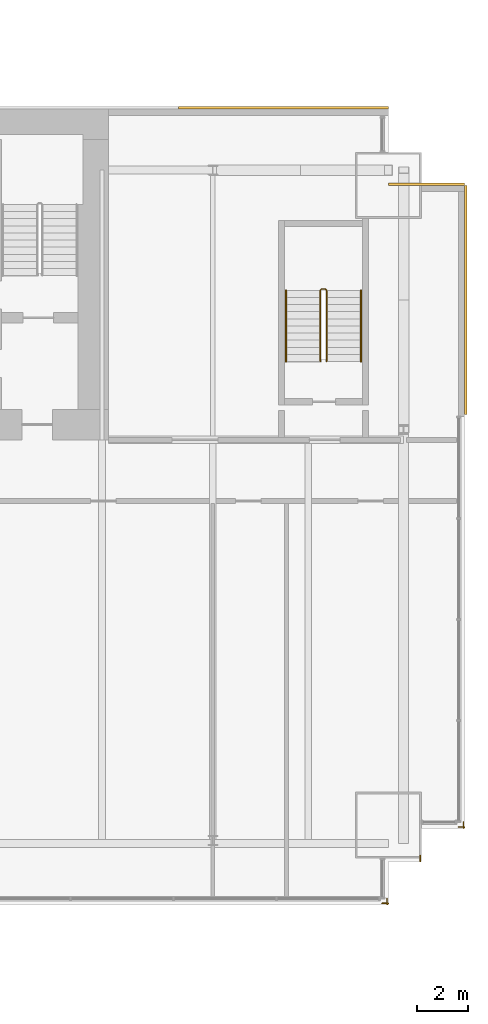
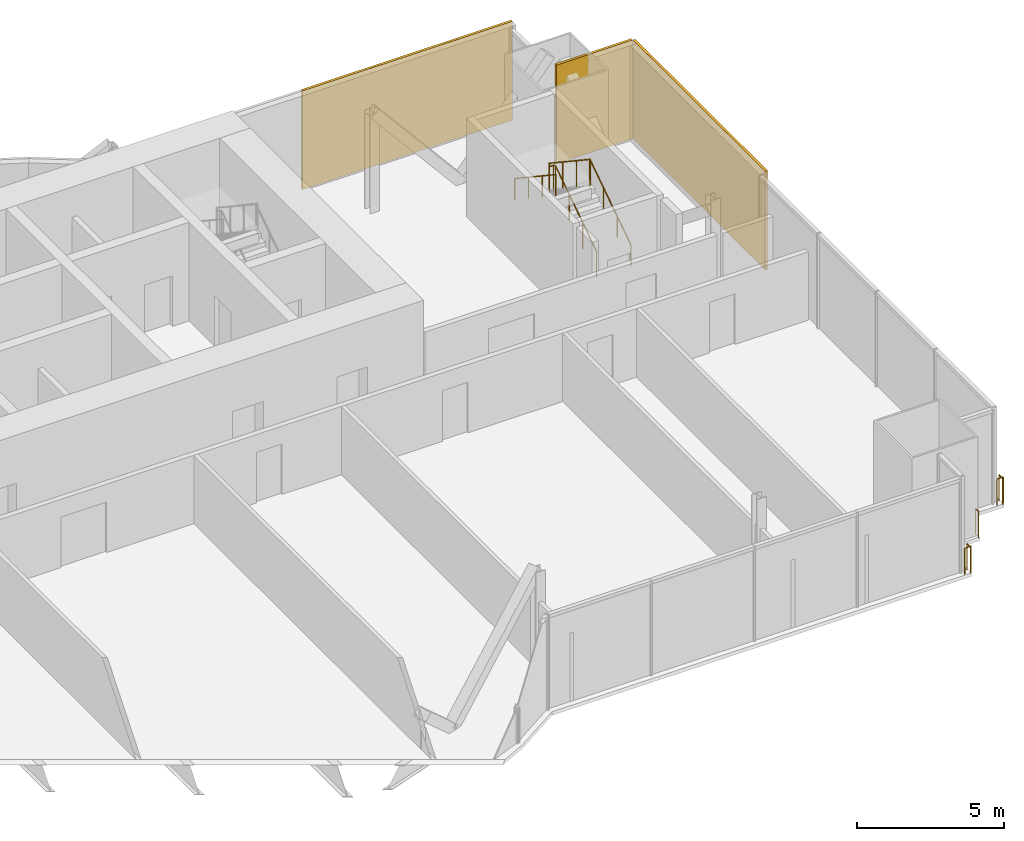
# One storey, part 20 of 20: 6 railings, 3 coverings.
"""IFC4 building model written with IfcOpenShell, lengths in metres."""

from ifc_helpers import new_model, si_unit, direction, frame, origin, origin_2d, place, context, subcontext, project, spatial, rectangle, circle, extrude, material, layer, layer_set, type_object, element, save


model = new_model("IFC4")

# Units and contexts
model_context = context("Model", 3, precision=1e-05, world=origin(), true_north=direction((0.0, 1.0)))
body_context = subcontext(model_context, "Body", "Model", "MODEL_VIEW")
ifc_project = project(units=[si_unit("LENGTHUNIT", "METRE"), si_unit("AREAUNIT", "SQUARE_METRE"), si_unit("VOLUMEUNIT", "CUBIC_METRE"), si_unit("PLANEANGLEUNIT", "RADIAN"), si_unit("MASSUNIT", "GRAM", prefix="KILO")], contexts=[model_context])

# Site, building, storey
site_placement = place(None, origin())
site = spatial("IfcSite", under=ifc_project, at=site_placement, CompositionType="ELEMENT")
building_placement = place(site_placement, origin())
building = spatial("IfcBuilding", under=site, at=building_placement, Name="Bicima Exchange Tower", CompositionType="ELEMENT")
storey_placement = place(building_placement, frame((0.0, 0.0, 223.699951171875)))
storey = spatial("IfcBuildingStorey", under=building, at=storey_placement, Name="L50", CompositionType="ELEMENT", Elevation=223.699951171875)

# Coverings
ifc_material_1 = material(Name="Bronze metal cladding")
ifc_layer_1 = layer(ifc_material_1, 0.004)
ifc_material_2 = material(Name="Ventilated cavity")
ifc_layer_2 = layer(ifc_material_2, 0.06)
ifc_material_3 = material(Name="Galvanised steel rail and mineral wool", Category="steel")
ifc_layer_3 = layer(ifc_material_3, 0.036)
ifc_layer_set = layer_set([ifc_layer_1, ifc_layer_2, ifc_layer_3], Name="Ventilated cavity")
covering_type = type_object("IfcCoveringType", Name="Bronze metal cladding panel 100", PredefinedType="CLADDING", material=ifc_layer_set)
covering_1_placement = place(storey_placement, frame((28.875, 0.050048828125, -0.14990234375), z_axis=(0.0, 0.0, 1.0), x_axis=(-1.0, 0.0, 0.0)))
element("IfcCovering", 1, at=covering_1_placement, inside=storey, type_object=covering_type, Name="Bronze cladding L50 1.1", PredefinedType="CLADDING", context=body_context, shape_type="SweptSolid", body=[
    extrude(rectangle(XDim=8.25, YDim=0.10009765625, at=origin_2d()), origin(), (0.0, 0.0, 1.0), 4.10009765625),
])
covering_2_placement = place(storey_placement, frame((36.050048828125, -7.5, -0.14990234375), z_axis=(0.0, 0.0, 1.0), x_axis=(0.0, 1.0, 0.0)))
element("IfcCovering", 2, at=covering_2_placement, inside=storey, type_object=covering_type, Name="Bronze cladding L50 50.1", PredefinedType="CLADDING", context=body_context, shape_type="SweptSolid", body=[
    extrude(rectangle(XDim=9.0, YDim=0.10009765625, at=origin_2d()), origin(), (0.0, 0.0, 1.0), 4.10009765625),
])
covering_3_placement = place(storey_placement, frame((34.5, -2.949951171875, -0.14990234375), z_axis=(0.0, 0.0, 1.0), x_axis=(-1.0, 0.0, 0.0)))
element("IfcCovering", 3, at=covering_3_placement, inside=storey, type_object=covering_type, Name="Bronze cladding L50 51.1", PredefinedType="CLADDING", context=body_context, shape_type="SweptSolid", body=[
    extrude(rectangle(XDim=3.0, YDim=0.10009765625, at=origin_2d()), origin(), (0.0, 0.0, 1.0), 4.10009765625),
])

# Railings
ifc_material_4 = material(Name="Stainless steel and bonded safety glass", Category="steel")
railing_type_1 = type_object("IfcRailingType", Name="Edge guard 1100", PredefinedType="GUARDRAIL", material=ifc_material_4)
railing_1_placement = place(storey_placement, frame((35.949951171875, -28.01611328125, 0.0)))
element("IfcRailing", 4, at=railing_1_placement, inside=storey, type_object=railing_type_1, Name="Edge guard L50 256", PredefinedType="GUARDRAIL", context=body_context, shape_type="SweptSolid", body=[
    extrude(circle(Radius=0.02392578125, at=origin_2d()), frame((0.0, 0.0, 1.076171875), z_axis=(0.0, -1.0, 0.0), x_axis=(1.0, 0.0, 0.0)), (0.0, 0.0, 1.0), 0.247802734375),
    extrude(circle(Radius=0.02392578125, at=origin_2d()), frame((0.0, -0.247802734375, 1.076171875), z_axis=(0.708833529934, 0.705375805398, 0.0), x_axis=(-0.705375805398, 0.708833529934, 0.0)), (0.0, 0.0, 1.0), 0.070556640625),
    extrude(circle(Radius=0.02392578125, at=origin_2d()), frame((0.050048828125, -0.197998046875, 1.076171875), z_axis=(-1.0, 0.0, 0.0), x_axis=(0.0, -1.0, 0.0)), (0.0, 0.0, 1.0), 0.242919921875),
    extrude(circle(Radius=0.02099609375, at=origin_2d()), origin(), (0.0, 0.0, 1.0), 1.052001953125),
    extrude(circle(Radius=0.02099609375, at=origin_2d()), frame((0.0, -0.247802734375, 0.0)), (0.0, 0.0, 1.0), 1.052001953125),
    extrude(circle(Radius=0.02099609375, at=origin_2d()), frame((0.050048828125, -0.197998046875, 0.0)), (0.0, 0.0, 1.0), 1.052001953125),
    extrude(circle(Radius=0.02099609375, at=origin_2d()), frame((-0.19287109375, -0.197998046875, 0.0)), (0.0, 0.0, 1.0), 1.052001953125),
])
railing_2_placement = place(storey_placement, frame((34.25, -29.346923828125, 0.0)))
element("IfcRailing", 5, at=railing_2_placement, inside=storey, type_object=railing_type_1, Name="Edge guard L50 257", PredefinedType="GUARDRAIL", context=body_context, shape_type="SweptSolid", body=[
    extrude(circle(Radius=0.02392578125, at=origin_2d()), frame((0.0, 0.0, 1.076171875), z_axis=(0.0, -1.0, 0.0), x_axis=(1.0, 0.0, 0.0)), (0.0, 0.0, 1.0), 0.217041015625),
    extrude(circle(Radius=0.02099609375, at=origin_2d()), origin(), (0.0, 0.0, 1.0), 1.052001953125),
    extrude(circle(Radius=0.02099609375, at=origin_2d()), frame((0.0, -0.217041015625, 0.0)), (0.0, 0.0, 1.0), 1.052001953125),
])
railing_3_placement = place(storey_placement, frame((32.949951171875, -31.02099609375, 0.0)))
element("IfcRailing", 6, at=railing_3_placement, inside=storey, type_object=railing_type_1, Name="Edge guard L50 258", PredefinedType="GUARDRAIL", context=body_context, shape_type="SweptSolid", body=[
    extrude(circle(Radius=0.02392578125, at=origin_2d()), frame((0.0, 0.0, 1.076171875), z_axis=(0.0, -1.0, 0.0), x_axis=(1.0, 0.0, 0.0)), (0.0, 0.0, 1.0), 0.242919921875),
    extrude(circle(Radius=0.02392578125, at=origin_2d()), frame((0.0, -0.242919921875, 1.076171875), z_axis=(0.708833529934, 0.705375805398, 0.0), x_axis=(-0.705375805398, 0.708833529934, 0.0)), (0.0, 0.0, 1.0), 0.070556640625),
    extrude(circle(Radius=0.02392578125, at=origin_2d()), frame((0.050048828125, -0.193115234375, 1.076171875), z_axis=(-1.0, 0.0, 0.0), x_axis=(0.0, -1.0, 0.0)), (0.0, 0.0, 1.0), 0.25),
    extrude(circle(Radius=0.02099609375, at=origin_2d()), origin(), (0.0, 0.0, 1.0), 1.052001953125),
    extrude(circle(Radius=0.02099609375, at=origin_2d()), frame((0.0, -0.242919921875, 0.0)), (0.0, 0.0, 1.0), 1.052001953125),
    extrude(circle(Radius=0.02099609375, at=origin_2d()), frame((0.050048828125, -0.193115234375, 0.0)), (0.0, 0.0, 1.0), 1.052001953125),
    extrude(circle(Radius=0.02099609375, at=origin_2d()), frame((-0.199951171875, -0.193115234375, 0.0)), (0.0, 0.0, 1.0), 1.052001953125),
])
ifc_material_5 = material(Name="Stainless steel", Category="steel")
railing_type_2 = type_object("IfcRailingType", Name="Stair guard 1100", PredefinedType="GUARDRAIL", material=ifc_material_5)
railing_4_placement = place(storey_placement, frame((30.574951171875, -9.925048828125, 0.1865234375)))
element("IfcRailing", 7, at=railing_4_placement, inside=storey, type_object=railing_type_2, Name="L50 ST-EE stair guard 1", PredefinedType="GUARDRAIL", context=body_context, shape_type="SweptSolid", body=[
    extrude(circle(Radius=0.02392578125, at=origin_2d()), frame((0.0, 0.0, 1.076171875), z_axis=(0.0, 0.832485552168, 0.554046753832), x_axis=(-1.0, 0.0, 0.0)), (0.0, 0.0, 1.0), 3.363525390625),
    extrude(circle(Radius=0.02392578125, at=origin_2d()), frame((0.0, 2.800048828125, 2.939453125), z_axis=(-0.707106781187, 0.707106781187, 0.0), x_axis=(-0.707106781187, -0.707106781187, 0.0)), (0.0, 0.0, 1.0), 0.07080078125),
    extrude(circle(Radius=0.02392578125, at=origin_2d()), frame((-0.050048828125, 2.85009765625, 2.939453125), z_axis=(-1.0, 0.0, 0.0), x_axis=(0.0, -1.0, 0.0)), (0.0, 0.0, 1.0), 0.14990234375),
    extrude(circle(Radius=0.02392578125, at=origin_2d()), frame((-0.199951171875, 2.85009765625, 2.939453125), z_axis=(-0.251157038772, -0.251157038772, 0.934794246747), x_axis=(0.707106781187, -0.707106781187, 0.0)), (0.0, 0.0, 1.0), 0.19921875),
    extrude(circle(Radius=0.02392578125, at=origin_2d()), frame((-0.25, 2.800048828125, 3.1259765625), z_axis=(0.0, -0.832452072856, 0.554097055034), x_axis=(1.0, 0.0, 0.0)), (0.0, 0.0, 1.0), 3.363525390625),
    extrude(circle(Radius=0.02099609375, at=origin_2d()), origin(), (0.0, 0.0, 1.0), 1.052001953125),
    extrude(circle(Radius=0.02099609375, at=origin_2d()), frame((0.0, 0.933349609375, 0.62109375)), (0.0, 0.0, 1.0), 1.052001953125),
    extrude(circle(Radius=0.02099609375, at=origin_2d()), frame((0.0, 1.86669921875, 1.242431640625)), (0.0, 0.0, 1.0), 1.052001953125),
    extrude(circle(Radius=0.02099609375, at=origin_2d()), frame((0.0, 2.800048828125, 1.863525390625)), (0.0, 0.0, 1.0), 1.052001953125),
    extrude(circle(Radius=0.02099609375, at=origin_2d()), frame((-0.050048828125, 2.85009765625, 1.863525390625)), (0.0, 0.0, 1.0), 1.052001953125),
    extrude(circle(Radius=0.02099609375, at=origin_2d()), frame((-0.199951171875, 2.85009765625, 1.863525390625)), (0.0, 0.0, 1.0), 1.052001953125),
    extrude(circle(Radius=0.02099609375, at=origin_2d()), frame((-0.25, 2.800048828125, 2.0498046875)), (0.0, 0.0, 1.0), 1.052001953125),
    extrude(circle(Radius=0.02099609375, at=origin_2d()), frame((-0.25, 1.86669921875, 2.671142578125)), (0.0, 0.0, 1.0), 1.052001953125),
    extrude(circle(Radius=0.02099609375, at=origin_2d()), frame((-0.25, 0.933349609375, 3.292236328125)), (0.0, 0.0, 1.0), 1.052001953125),
    extrude(circle(Radius=0.02099609375, at=origin_2d()), frame((-0.25, 0.0, 3.91357421875)), (0.0, 0.0, 1.0), 1.052001953125),
])
railing_type_3 = type_object("IfcRailingType", Name="Stair handrail 900", PredefinedType="HANDRAIL", material=ifc_material_5)
railing_5_placement = place(storey_placement, frame((31.925048828125, -9.925048828125, 0.1865234375)))
element("IfcRailing", 8, at=railing_5_placement, inside=storey, type_object=railing_type_3, Name="L50 ST-EE stair handrail 1", PredefinedType="HANDRAIL", context=body_context, shape_type="SweptSolid", body=[
    extrude(circle(Radius=0.02392578125, at=origin_2d()), frame((0.0, 0.0, 0.8759765625), z_axis=(0.0, 0.832485552168, 0.554046753832), x_axis=(-1.0, 0.0, 0.0)), (0.0, 0.0, 1.0), 3.363525390625),
    extrude(circle(Radius=0.02099609375, at=origin_2d()), origin(), (0.0, 0.0, 1.0), 0.851806640625),
    extrude(circle(Radius=0.02099609375, at=origin_2d()), frame((0.0, 0.933349609375, 0.62109375)), (0.0, 0.0, 1.0), 0.851806640625),
    extrude(circle(Radius=0.02099609375, at=origin_2d()), frame((0.0, 1.86669921875, 1.242431640625)), (0.0, 0.0, 1.0), 0.851806640625),
    extrude(circle(Radius=0.02099609375, at=origin_2d()), frame((0.0, 2.800048828125, 1.863525390625)), (0.0, 0.0, 1.0), 0.851806640625),
])
railing_6_placement = place(storey_placement, frame((28.97509765625, -7.125, 2.27685546875)))
element("IfcRailing", 9, at=railing_6_placement, inside=storey, type_object=railing_type_3, Name="L50 ST-EE stair handrail 2", PredefinedType="HANDRAIL", context=body_context, shape_type="SweptSolid", body=[
    extrude(circle(Radius=0.02392578125, at=origin_2d()), frame((0.0, 0.0, 0.8759765625), z_axis=(0.0, -0.832485552168, 0.554046753832), x_axis=(1.0, 0.0, 0.0)), (0.0, 0.0, 1.0), 3.363525390625),
    extrude(circle(Radius=0.02099609375, at=origin_2d()), origin(), (0.0, 0.0, 1.0), 0.851806640625),
    extrude(circle(Radius=0.02099609375, at=origin_2d()), frame((0.0, -0.933349609375, 0.62109375)), (0.0, 0.0, 1.0), 0.851806640625),
    extrude(circle(Radius=0.02099609375, at=origin_2d()), frame((0.0, -1.86669921875, 1.242431640625)), (0.0, 0.0, 1.0), 0.851806640625),
    extrude(circle(Radius=0.02099609375, at=origin_2d()), frame((0.0, -2.800048828125, 1.863525390625)), (0.0, 0.0, 1.0), 0.851806640625),
])

save(model, "model.ifc")
